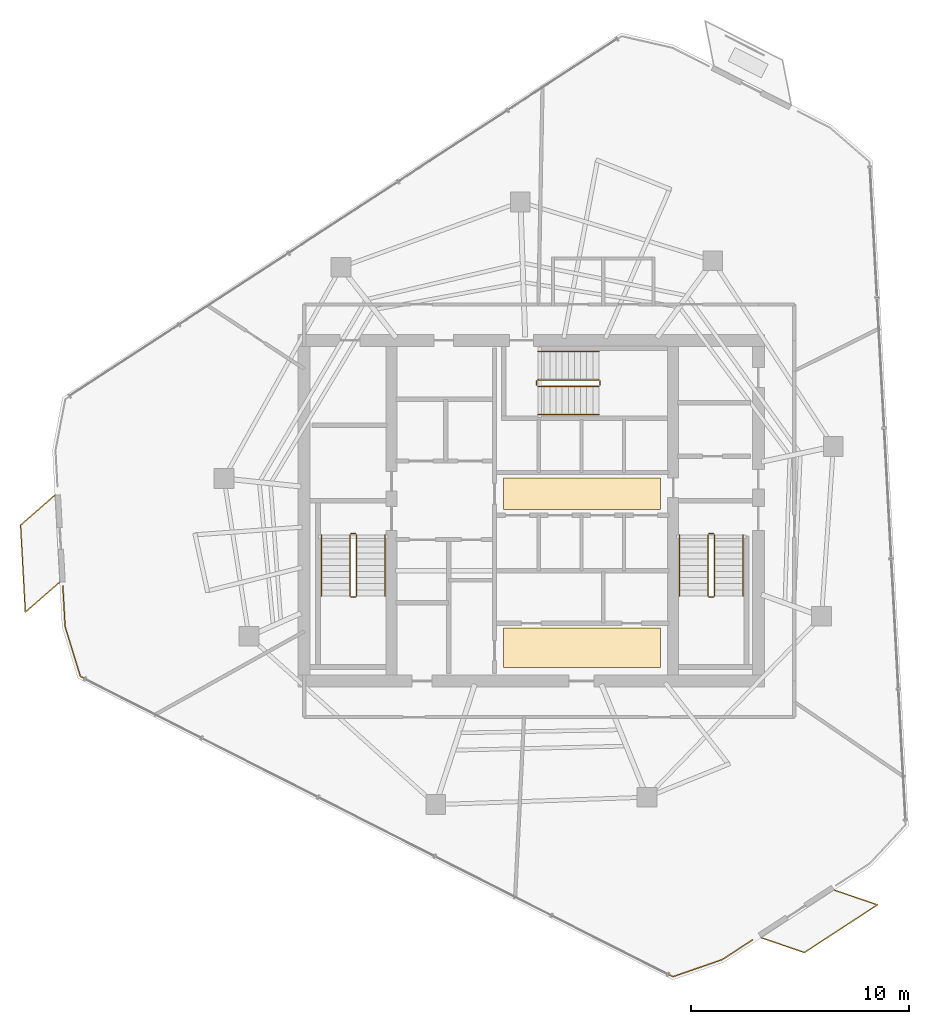
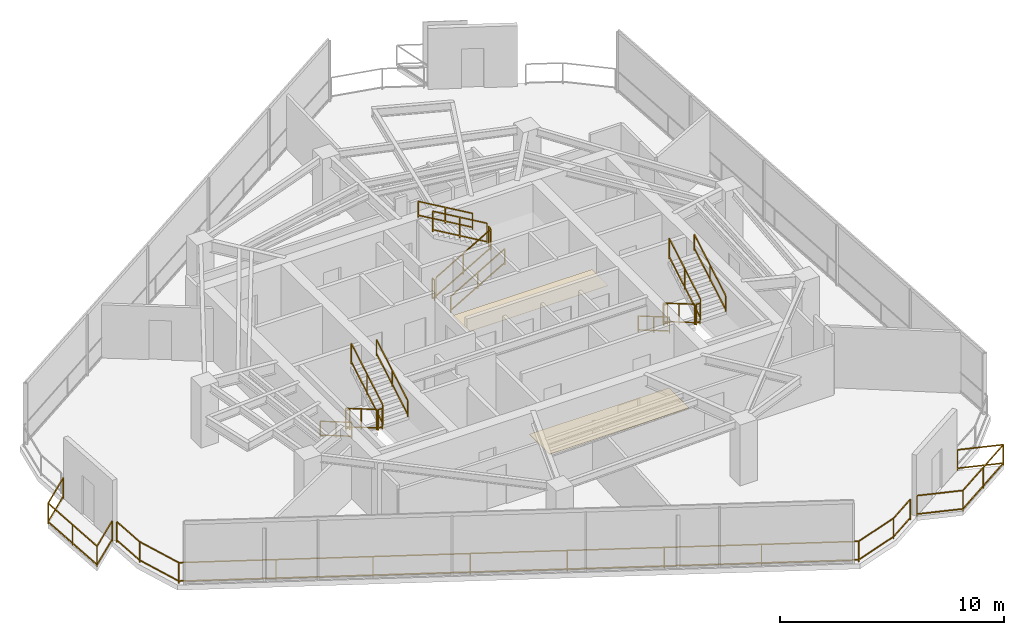
# One storey, part 17 of 18: 21 railings, 2 coverings.
"""IFC4 building model written with IfcOpenShell, lengths in metres."""

from ifc_helpers import new_model, si_unit, direction, frame, origin, origin_2d, place, context, subcontext, project, spatial, rectangle, extrude, material, layer, layer_set, type_object, element, save


model = new_model("IFC4")

# Units and contexts
model_context = context("Model", 3, precision=1e-05, world=origin(), true_north=direction((0.0, 1.0)))
body_context = subcontext(model_context, "Body", "Model", "MODEL_VIEW")
ifc_project = project(units=[si_unit("LENGTHUNIT", "METRE"), si_unit("AREAUNIT", "SQUARE_METRE"), si_unit("VOLUMEUNIT", "CUBIC_METRE"), si_unit("PLANEANGLEUNIT", "RADIAN"), si_unit("MASSUNIT", "GRAM", prefix="KILO")], contexts=[model_context])

# Site, building, storey
site_placement = place(None, origin())
site = spatial("IfcSite", under=ifc_project, at=site_placement, CompositionType="ELEMENT")
building_placement = place(site_placement, origin())
building = spatial("IfcBuilding", under=site, at=building_placement, Name="Qarnah Convention Tower", CompositionType="ELEMENT")
storey_placement = place(building_placement, frame((0.0, 0.0, 191.39990234375)))
storey = spatial("IfcBuildingStorey", under=building, at=storey_placement, Name="L51", CompositionType="ELEMENT", Elevation=191.39990234375)

# Coverings
ifc_material_1 = material(Name="Mineral fibre acoustic ceiling")
ifc_layer_1 = layer(ifc_material_1, 0.02001953125)
ifc_layer_set_1 = layer_set([ifc_layer_1], Name="Mineral fibre acoustic ceiling")
covering_type_1 = type_object("IfcCoveringType", Name="COV-CEIL-20", PredefinedType="CEILING", material=ifc_layer_set_1)
covering_1_placement = place(storey_placement, frame((39.52001953125, 27.179931640625, 2.2900390625), z_axis=(0.0, 0.0, 1.0), x_axis=(1.0, 0.0, 0.0)))
element("IfcCovering", 1, at=covering_1_placement, inside=storey, type_object=covering_type_1, Name="L51 lift lobby acoustic ceiling", PredefinedType="CEILING", context=body_context, shape_type="SweptSolid", body=[
    extrude(rectangle(XDim=7.199951171875, YDim=1.449951171875, at=origin_2d()), origin(), (0.0, 0.0, 1.0), 0.02001953125),
])
ifc_material_2 = material(Name="Porcelain stone floor tile", Category="masonry")
ifc_layer_2 = layer(ifc_material_2, 0.02001953125)
ifc_layer_set_2 = layer_set([ifc_layer_2], Name="Porcelain stone floor tile")
covering_type_2 = type_object("IfcCoveringType", Name="COV-FLOOR-20", PredefinedType="FLOORING", material=ifc_layer_set_2)
covering_2_placement = place(storey_placement, frame((39.52001953125, 20.1201171875, 0.0), z_axis=(0.0, 0.0, 1.0), x_axis=(1.0, 0.0, 0.0)))
element("IfcCovering", 2, at=covering_2_placement, inside=storey, type_object=covering_type_2, Name="L51 lift lobby porcelain stone flooring", PredefinedType="FLOORING", context=body_context, shape_type="SweptSolid", body=[
    extrude(rectangle(XDim=7.199951171875, YDim=1.800048828125, at=origin_2d()), origin(), (0.0, 0.0, 1.0), 0.02001953125),
])

# Railings
ifc_material_3 = material(Name="Black anodised aluminium", Category="aluminium")
railing_type_1 = type_object("IfcRailingType", Name="RL-EXT-GUARD-1150", PredefinedType="GUARDRAIL", material=ifc_material_3)
railing_1_placement = place(storey_placement, frame((47.3349609375, 6.74609375, 0.0)))
element("IfcRailing", 3, at=railing_1_placement, inside=storey, type_object=railing_type_1, Name="L51 slab-edge perimeter safety guard 03", PredefinedType="GUARDRAIL", context=body_context, shape_type="SweptSolid", body=[
    extrude(rectangle(XDim=0.048095703125, YDim=0.048095703125, at=origin_2d()), frame((0.0, 0.0, 1.1259765625), z_axis=(-0.837569503166, -0.546330785666, 0.0), x_axis=(0.546330785666, -0.837569503166, 0.0)), (0.0, 0.0, 1.0), 1.65478515625),
    extrude(rectangle(XDim=0.048095703125, YDim=0.048095703125, at=origin_2d()), frame((0.0, 0.0, 0.1201171875), z_axis=(-0.837569503166, -0.546330785666, 0.0), x_axis=(0.546330785666, -0.837569503166, 0.0)), (0.0, 0.0, 1.0), 1.65478515625),
    extrude(rectangle(XDim=0.048095703125, YDim=0.048095703125, at=origin_2d()), frame((-1.385986328125, -0.904052734375, 1.1259765625), z_axis=(-0.944842527431, -0.327524958373, 0.0), x_axis=(0.327524958373, -0.944842527431, 0.0)), (0.0, 0.0, 1.0), 2.387451171875),
    extrude(rectangle(XDim=0.048095703125, YDim=0.048095703125, at=origin_2d()), frame((-1.385986328125, -0.904052734375, 0.1201171875), z_axis=(-0.944842527431, -0.327524958373, 0.0), x_axis=(0.327524958373, -0.944842527431, 0.0)), (0.0, 0.0, 1.0), 2.387451171875),
    extrude(rectangle(XDim=0.048095703125, YDim=0.048095703125, at=origin_2d()), frame((-3.641845703125, -1.68603515625, 1.1259765625), z_axis=(-0.8919648532, 0.452104745225, 0.0), x_axis=(-0.452104745225, -0.8919648532, 0.0)), (0.0, 0.0, 1.0), 30.42626953125),
    extrude(rectangle(XDim=0.048095703125, YDim=0.048095703125, at=origin_2d()), frame((-3.641845703125, -1.68603515625, 0.1201171875), z_axis=(-0.8919648532, 0.452104745225, 0.0), x_axis=(-0.452104745225, -0.8919648532, 0.0)), (0.0, 0.0, 1.0), 30.42626953125),
    extrude(rectangle(XDim=0.048095703125, YDim=0.048095703125, at=origin_2d()), frame((-30.781005859375, 12.06982421875, 1.1259765625), z_axis=(-0.294107414336, 0.955772372918, 0.0), x_axis=(-0.955772372918, -0.294107414336, 0.0)), (0.0, 0.0, 1.0), 2.386474609375),
    extrude(rectangle(XDim=0.048095703125, YDim=0.048095703125, at=origin_2d()), frame((-30.781005859375, 12.06982421875, 0.1201171875), z_axis=(-0.294107414336, 0.955772372918, 0.0), x_axis=(-0.955772372918, -0.294107414336, 0.0)), (0.0, 0.0, 1.0), 2.386474609375),
    extrude(rectangle(XDim=0.048095703125, YDim=0.048095703125, at=origin_2d()), frame((-31.48291015625, 14.350830078125, 1.1259765625), z_axis=(-0.054694575929, 0.998503131374, 0.0), x_axis=(-0.998503131374, -0.054694575929, 0.0)), (0.0, 0.0, 1.0), 1.86572265625),
    extrude(rectangle(XDim=0.048095703125, YDim=0.048095703125, at=origin_2d()), frame((-31.48291015625, 14.350830078125, 0.1201171875), z_axis=(-0.054694575929, 0.998503131374, 0.0), x_axis=(-0.998503131374, -0.054694575929, 0.0)), (0.0, 0.0, 1.0), 1.86572265625),
    extrude(rectangle(XDim=0.0419921875, YDim=0.0419921875, at=origin_2d()), origin(), (0.0, 0.0, 1.0), 1.101806640625),
    extrude(rectangle(XDim=0.0419921875, YDim=0.0419921875, at=origin_2d()), frame((-1.385986328125, -0.904052734375, 0.0)), (0.0, 0.0, 1.0), 1.101806640625),
    extrude(rectangle(XDim=0.0419921875, YDim=0.0419921875, at=origin_2d()), frame((-3.641845703125, -1.68603515625, 0.0)), (0.0, 0.0, 1.0), 1.101806640625),
    extrude(rectangle(XDim=0.0419921875, YDim=0.0419921875, at=origin_2d()), frame((-7.518798828125, 0.279052734375, 0.0)), (0.0, 0.0, 1.0), 1.101806640625),
    extrude(rectangle(XDim=0.0419921875, YDim=0.0419921875, at=origin_2d()), frame((-11.39599609375, 2.244140625, 0.0)), (0.0, 0.0, 1.0), 1.101806640625),
    extrude(rectangle(XDim=0.0419921875, YDim=0.0419921875, at=origin_2d()), frame((-15.27294921875, 4.209228515625, 0.0)), (0.0, 0.0, 1.0), 1.101806640625),
    extrude(rectangle(XDim=0.0419921875, YDim=0.0419921875, at=origin_2d()), frame((-19.14990234375, 6.174560546875, 0.0)), (0.0, 0.0, 1.0), 1.101806640625),
    extrude(rectangle(XDim=0.0419921875, YDim=0.0419921875, at=origin_2d()), frame((-23.02685546875, 8.1396484375, 0.0)), (0.0, 0.0, 1.0), 1.101806640625),
    extrude(rectangle(XDim=0.0419921875, YDim=0.0419921875, at=origin_2d()), frame((-26.904052734375, 10.104736328125, 0.0)), (0.0, 0.0, 1.0), 1.101806640625),
    extrude(rectangle(XDim=0.0419921875, YDim=0.0419921875, at=origin_2d()), frame((-30.781005859375, 12.06982421875, 0.0)), (0.0, 0.0, 1.0), 1.101806640625),
    extrude(rectangle(XDim=0.0419921875, YDim=0.0419921875, at=origin_2d()), frame((-31.48291015625, 14.350830078125, 0.0)), (0.0, 0.0, 1.0), 1.101806640625),
    extrude(rectangle(XDim=0.0419921875, YDim=0.0419921875, at=origin_2d()), frame((-31.5849609375, 16.2138671875, 0.0)), (0.0, 0.0, 1.0), 1.101806640625),
])
railing_2_placement = place(storey_placement, frame((15.60595703125, 23.1259765625, 0.0)))
element("IfcRailing", 4, at=railing_2_placement, inside=storey, type_object=railing_type_1, Name="L51 balcony safety guard BAL-L51-C2", PredefinedType="GUARDRAIL", context=body_context, shape_type="SweptSolid", body=[
    extrude(rectangle(XDim=0.048095703125, YDim=0.048095703125, at=origin_2d()), frame((0.0, 0.0, 1.1259765625), z_axis=(-0.753248157674, -0.657736431225, 0.0), x_axis=(0.657736431225, -0.753248157674, 0.0)), (0.0, 0.0, 1.0), 2.093505859375),
    extrude(rectangle(XDim=0.048095703125, YDim=0.048095703125, at=origin_2d()), frame((0.0, 0.0, 0.1201171875), z_axis=(-0.753248157674, -0.657736431225, 0.0), x_axis=(0.657736431225, -0.753248157674, 0.0)), (0.0, 0.0, 1.0), 2.093505859375),
    extrude(rectangle(XDim=0.048095703125, YDim=0.048095703125, at=origin_2d()), frame((-1.576904296875, -1.376953125, 1.1259765625), z_axis=(-0.054506539419, 0.998513413611, 0.0), x_axis=(-0.998513413611, -0.054506539419, 0.0)), (0.0, 0.0, 1.0), 3.999755859375),
    extrude(rectangle(XDim=0.048095703125, YDim=0.048095703125, at=origin_2d()), frame((-1.576904296875, -1.376953125, 0.1201171875), z_axis=(-0.054506539419, 0.998513413611, 0.0), x_axis=(-0.998513413611, -0.054506539419, 0.0)), (0.0, 0.0, 1.0), 3.999755859375),
    extrude(rectangle(XDim=0.048095703125, YDim=0.048095703125, at=origin_2d()), frame((-1.794921875, 2.616943359375, 1.1259765625), z_axis=(0.753190381165, 0.657802591756, 0.0), x_axis=(-0.657802591756, 0.753190381165, 0.0)), (0.0, 0.0, 1.0), 2.09375),
    extrude(rectangle(XDim=0.048095703125, YDim=0.048095703125, at=origin_2d()), frame((-1.794921875, 2.616943359375, 0.1201171875), z_axis=(0.753190381165, 0.657802591756, 0.0), x_axis=(-0.657802591756, 0.753190381165, 0.0)), (0.0, 0.0, 1.0), 2.09375),
    extrude(rectangle(XDim=0.0419921875, YDim=0.0419921875, at=origin_2d()), origin(), (0.0, 0.0, 1.0), 1.101806640625),
    extrude(rectangle(XDim=0.0419921875, YDim=0.0419921875, at=origin_2d()), frame((-1.576904296875, -1.376953125, 0.0)), (0.0, 0.0, 1.0), 1.101806640625),
    extrude(rectangle(XDim=0.0419921875, YDim=0.0419921875, at=origin_2d()), frame((-1.68603515625, 0.6201171875, 0.0)), (0.0, 0.0, 1.0), 1.101806640625),
    extrude(rectangle(XDim=0.0419921875, YDim=0.0419921875, at=origin_2d()), frame((-1.794921875, 2.616943359375, 0.0)), (0.0, 0.0, 1.0), 1.101806640625),
    extrude(rectangle(XDim=0.0419921875, YDim=0.0419921875, at=origin_2d()), frame((-0.218017578125, 3.994140625, 0.0)), (0.0, 0.0, 1.0), 1.101806640625),
])
railing_3_placement = place(storey_placement, frame((51.0810546875, 9.028076171875, 0.0)))
element("IfcRailing", 5, at=railing_3_placement, inside=storey, type_object=railing_type_1, Name="L51 balcony safety guard BAL-L51-C3", PredefinedType="GUARDRAIL", context=body_context, shape_type="SweptSolid", body=[
    extrude(rectangle(XDim=0.048095703125, YDim=0.048095703125, at=origin_2d()), frame((0.0, 0.0, 1.1259765625), z_axis=(0.946265448869, -0.323390940315, 0.0), x_axis=(0.323390940315, 0.946265448869, 0.0)), (0.0, 0.0, 1.0), 2.093505859375),
    extrude(rectangle(XDim=0.048095703125, YDim=0.048095703125, at=origin_2d()), frame((0.0, 0.0, 0.1201171875), z_axis=(0.946265448869, -0.323390940315, 0.0), x_axis=(0.323390940315, 0.946265448869, 0.0)), (0.0, 0.0, 1.0), 2.093505859375),
    extrude(rectangle(XDim=0.048095703125, YDim=0.048095703125, at=origin_2d()), frame((1.98095703125, -0.677001953125, 1.1259765625), z_axis=(-0.837474585525, -0.546476274507, 0.0), x_axis=(0.546476274507, -0.837474585525, 0.0)), (0.0, 0.0, 1.0), 4.000244140625),
    extrude(rectangle(XDim=0.048095703125, YDim=0.048095703125, at=origin_2d()), frame((1.98095703125, -0.677001953125, 0.1201171875), z_axis=(-0.837474585525, -0.546476274507, 0.0), x_axis=(0.546476274507, -0.837474585525, 0.0)), (0.0, 0.0, 1.0), 4.000244140625),
    extrude(rectangle(XDim=0.048095703125, YDim=0.048095703125, at=origin_2d()), frame((-1.369140625, -2.863037109375, 1.1259765625), z_axis=(-0.946171499539, 0.323665712518, 0.0), x_axis=(-0.323665712518, -0.946171499539, 0.0)), (0.0, 0.0, 1.0), 2.0947265625),
    extrude(rectangle(XDim=0.048095703125, YDim=0.048095703125, at=origin_2d()), frame((-1.369140625, -2.863037109375, 0.1201171875), z_axis=(-0.946171499539, 0.323665712518, 0.0), x_axis=(-0.323665712518, -0.946171499539, 0.0)), (0.0, 0.0, 1.0), 2.0947265625),
    extrude(rectangle(XDim=0.0419921875, YDim=0.0419921875, at=origin_2d()), origin(), (0.0, 0.0, 1.0), 1.101806640625),
    extrude(rectangle(XDim=0.0419921875, YDim=0.0419921875, at=origin_2d()), frame((1.98095703125, -0.677001953125, 0.0)), (0.0, 0.0, 1.0), 1.101806640625),
    extrude(rectangle(XDim=0.0419921875, YDim=0.0419921875, at=origin_2d()), frame((0.305908203125, -1.77001953125, 0.0)), (0.0, 0.0, 1.0), 1.101806640625),
    extrude(rectangle(XDim=0.0419921875, YDim=0.0419921875, at=origin_2d()), frame((-1.369140625, -2.863037109375, 0.0)), (0.0, 0.0, 1.0), 1.101806640625),
    extrude(rectangle(XDim=0.0419921875, YDim=0.0419921875, at=origin_2d()), frame((-3.35107421875, -2.18505859375, 0.0)), (0.0, 0.0, 1.0), 1.101806640625),
])
ifc_material_4 = material(Name="Structural steel S355JR", Category="steel")
railing_type_2 = type_object("IfcRailingType", Name="RL-STAIR-GUARD-1150", PredefinedType="GUARDRAIL", material=ifc_material_4)
railing_4_placement = place(storey_placement, frame((28.89990234375, 25.300048828125, 0.163818359375)))
element("IfcRailing", 6, at=railing_4_placement, inside=storey, type_object=railing_type_2, Name="L51 ST-1 stair guard 1", PredefinedType="GUARDRAIL", context=body_context, shape_type="SweptSolid", body=[
    extrude(rectangle(XDim=0.048095703125, YDim=0.048095703125, at=origin_2d()), frame((0.0, 0.0, 1.1259765625), z_axis=(0.0, -0.863393664356, 0.504530851732), x_axis=(1.0, 0.0, 0.0)), (0.0, 0.0, 1.0), 3.2431640625),
    extrude(rectangle(XDim=0.048095703125, YDim=0.048095703125, at=origin_2d()), frame((0.0, 0.0, 0.1201171875), z_axis=(0.0, -0.863393664356, 0.504530851732), x_axis=(1.0, 0.0, 0.0)), (0.0, 0.0, 1.0), 3.2431640625),
    extrude(rectangle(XDim=0.0419921875, YDim=0.0419921875, at=origin_2d()), origin(), (0.0, 0.0, 1.0), 1.101806640625),
    extrude(rectangle(XDim=0.0419921875, YDim=0.0419921875, at=origin_2d()), frame((0.0, -1.39990234375, 0.818115234375)), (0.0, 0.0, 1.0), 1.101806640625),
    extrude(rectangle(XDim=0.0419921875, YDim=0.0419921875, at=origin_2d()), frame((0.0, -2.800048828125, 1.63623046875)), (0.0, 0.0, 1.0), 1.101806640625),
])
railing_5_placement = place(storey_placement, frame((28.949951171875, 22.449951171875, 1.800048828125)))
element("IfcRailing", 7, at=railing_5_placement, inside=storey, type_object=railing_type_2, Name="L51 ST-1 stair guard 2", PredefinedType="GUARDRAIL", context=body_context, shape_type="SweptSolid", body=[
    extrude(rectangle(XDim=0.048095703125, YDim=0.048095703125, at=origin_2d()), frame((0.0, 0.0, 1.1259765625), z_axis=(1.0, 0.0, 0.0), x_axis=(0.0, 1.0, 0.0)), (0.0, 0.0, 1.0), 0.199951171875),
    extrude(rectangle(XDim=0.048095703125, YDim=0.048095703125, at=origin_2d()), frame((0.0, 0.0, 0.1201171875), z_axis=(1.0, 0.0, 0.0), x_axis=(0.0, 1.0, 0.0)), (0.0, 0.0, 1.0), 0.199951171875),
    extrude(rectangle(XDim=0.0419921875, YDim=0.0419921875, at=origin_2d()), origin(), (0.0, 0.0, 1.0), 1.101806640625),
    extrude(rectangle(XDim=0.0419921875, YDim=0.0419921875, at=origin_2d()), frame((0.199951171875, 0.0, 0.0)), (0.0, 0.0, 1.0), 1.101806640625),
])
railing_6_placement = place(storey_placement, frame((29.199951171875, 22.5, 1.963623046875)))
element("IfcRailing", 8, at=railing_6_placement, inside=storey, type_object=railing_type_2, Name="L51 ST-1 stair guard 3", PredefinedType="GUARDRAIL", context=body_context, shape_type="SweptSolid", body=[
    extrude(rectangle(XDim=0.048095703125, YDim=0.048095703125, at=origin_2d()), frame((0.0, 0.0, 1.1259765625), z_axis=(0.0, 0.863360870873, 0.504586966384), x_axis=(-1.0, 0.0, 0.0)), (0.0, 0.0, 1.0), 3.2431640625),
    extrude(rectangle(XDim=0.048095703125, YDim=0.048095703125, at=origin_2d()), frame((0.0, 0.0, 0.1201171875), z_axis=(0.0, 0.863360870873, 0.504586966384), x_axis=(-1.0, 0.0, 0.0)), (0.0, 0.0, 1.0), 3.2431640625),
    extrude(rectangle(XDim=0.0419921875, YDim=0.0419921875, at=origin_2d()), origin(), (0.0, 0.0, 1.0), 1.101806640625),
    extrude(rectangle(XDim=0.0419921875, YDim=0.0419921875, at=origin_2d()), frame((0.0, 1.39990234375, 0.818359375)), (0.0, 0.0, 1.0), 1.101806640625),
    extrude(rectangle(XDim=0.0419921875, YDim=0.0419921875, at=origin_2d()), frame((0.0, 2.800048828125, 1.636474609375)), (0.0, 0.0, 1.0), 1.101806640625),
])
railing_7_placement = place(storey_placement, frame((28.949951171875, 25.35009765625, 0.0)))
element("IfcRailing", 9, at=railing_7_placement, inside=storey, type_object=railing_type_2, Name="L51 ST-1 stair guard 4", PredefinedType="GUARDRAIL", context=body_context, shape_type="SweptSolid", body=[
    extrude(rectangle(XDim=0.048095703125, YDim=0.048095703125, at=origin_2d()), frame((0.0, 0.0, 1.1259765625), z_axis=(1.0, 0.0, 0.0), x_axis=(0.0, 1.0, 0.0)), (0.0, 0.0, 1.0), 0.199951171875),
    extrude(rectangle(XDim=0.048095703125, YDim=0.048095703125, at=origin_2d()), frame((0.0, 0.0, 0.1201171875), z_axis=(1.0, 0.0, 0.0), x_axis=(0.0, 1.0, 0.0)), (0.0, 0.0, 1.0), 0.199951171875),
    extrude(rectangle(XDim=0.0419921875, YDim=0.0419921875, at=origin_2d()), origin(), (0.0, 0.0, 1.0), 1.101806640625),
    extrude(rectangle(XDim=0.0419921875, YDim=0.0419921875, at=origin_2d()), frame((0.199951171875, 0.0, 0.0)), (0.0, 0.0, 1.0), 1.101806640625),
])
railing_8_placement = place(storey_placement, frame((45.300048828125, 25.300048828125, 0.163818359375)))
element("IfcRailing", 10, at=railing_8_placement, inside=storey, type_object=railing_type_2, Name="L51 ST-2 stair guard 1", PredefinedType="GUARDRAIL", context=body_context, shape_type="SweptSolid", body=[
    extrude(rectangle(XDim=0.048095703125, YDim=0.048095703125, at=origin_2d()), frame((0.0, 0.0, 1.1259765625), z_axis=(0.0, -0.863393664356, 0.504530851732), x_axis=(1.0, 0.0, 0.0)), (0.0, 0.0, 1.0), 3.2431640625),
    extrude(rectangle(XDim=0.048095703125, YDim=0.048095703125, at=origin_2d()), frame((0.0, 0.0, 0.1201171875), z_axis=(0.0, -0.863393664356, 0.504530851732), x_axis=(1.0, 0.0, 0.0)), (0.0, 0.0, 1.0), 3.2431640625),
    extrude(rectangle(XDim=0.0419921875, YDim=0.0419921875, at=origin_2d()), origin(), (0.0, 0.0, 1.0), 1.101806640625),
    extrude(rectangle(XDim=0.0419921875, YDim=0.0419921875, at=origin_2d()), frame((0.0, -1.39990234375, 0.818115234375)), (0.0, 0.0, 1.0), 1.101806640625),
    extrude(rectangle(XDim=0.0419921875, YDim=0.0419921875, at=origin_2d()), frame((0.0, -2.800048828125, 1.63623046875)), (0.0, 0.0, 1.0), 1.101806640625),
])
railing_9_placement = place(storey_placement, frame((45.35009765625, 22.449951171875, 1.800048828125)))
element("IfcRailing", 11, at=railing_9_placement, inside=storey, type_object=railing_type_2, Name="L51 ST-2 stair guard 2", PredefinedType="GUARDRAIL", context=body_context, shape_type="SweptSolid", body=[
    extrude(rectangle(XDim=0.048095703125, YDim=0.048095703125, at=origin_2d()), frame((0.0, 0.0, 1.1259765625), z_axis=(1.0, 0.0, 0.0), x_axis=(0.0, 1.0, 0.0)), (0.0, 0.0, 1.0), 0.199951171875),
    extrude(rectangle(XDim=0.048095703125, YDim=0.048095703125, at=origin_2d()), frame((0.0, 0.0, 0.1201171875), z_axis=(1.0, 0.0, 0.0), x_axis=(0.0, 1.0, 0.0)), (0.0, 0.0, 1.0), 0.199951171875),
    extrude(rectangle(XDim=0.0419921875, YDim=0.0419921875, at=origin_2d()), origin(), (0.0, 0.0, 1.0), 1.101806640625),
    extrude(rectangle(XDim=0.0419921875, YDim=0.0419921875, at=origin_2d()), frame((0.199951171875, 0.0, 0.0)), (0.0, 0.0, 1.0), 1.101806640625),
])
railing_10_placement = place(storey_placement, frame((45.60009765625, 22.5, 1.963623046875)))
element("IfcRailing", 12, at=railing_10_placement, inside=storey, type_object=railing_type_2, Name="L51 ST-2 stair guard 3", PredefinedType="GUARDRAIL", context=body_context, shape_type="SweptSolid", body=[
    extrude(rectangle(XDim=0.048095703125, YDim=0.048095703125, at=origin_2d()), frame((0.0, 0.0, 1.1259765625), z_axis=(0.0, 0.863360870873, 0.504586966384), x_axis=(-1.0, 0.0, 0.0)), (0.0, 0.0, 1.0), 3.2431640625),
    extrude(rectangle(XDim=0.048095703125, YDim=0.048095703125, at=origin_2d()), frame((0.0, 0.0, 0.1201171875), z_axis=(0.0, 0.863360870873, 0.504586966384), x_axis=(-1.0, 0.0, 0.0)), (0.0, 0.0, 1.0), 3.2431640625),
    extrude(rectangle(XDim=0.0419921875, YDim=0.0419921875, at=origin_2d()), origin(), (0.0, 0.0, 1.0), 1.101806640625),
    extrude(rectangle(XDim=0.0419921875, YDim=0.0419921875, at=origin_2d()), frame((0.0, 1.39990234375, 0.818359375)), (0.0, 0.0, 1.0), 1.101806640625),
    extrude(rectangle(XDim=0.0419921875, YDim=0.0419921875, at=origin_2d()), frame((0.0, 2.800048828125, 1.636474609375)), (0.0, 0.0, 1.0), 1.101806640625),
])
railing_11_placement = place(storey_placement, frame((45.35009765625, 25.35009765625, 0.0)))
element("IfcRailing", 13, at=railing_11_placement, inside=storey, type_object=railing_type_2, Name="L51 ST-2 stair guard 4", PredefinedType="GUARDRAIL", context=body_context, shape_type="SweptSolid", body=[
    extrude(rectangle(XDim=0.048095703125, YDim=0.048095703125, at=origin_2d()), frame((0.0, 0.0, 1.1259765625), z_axis=(1.0, 0.0, 0.0), x_axis=(0.0, 1.0, 0.0)), (0.0, 0.0, 1.0), 0.199951171875),
    extrude(rectangle(XDim=0.048095703125, YDim=0.048095703125, at=origin_2d()), frame((0.0, 0.0, 0.1201171875), z_axis=(1.0, 0.0, 0.0), x_axis=(0.0, 1.0, 0.0)), (0.0, 0.0, 1.0), 0.199951171875),
    extrude(rectangle(XDim=0.0419921875, YDim=0.0419921875, at=origin_2d()), origin(), (0.0, 0.0, 1.0), 1.101806640625),
    extrude(rectangle(XDim=0.0419921875, YDim=0.0419921875, at=origin_2d()), frame((0.199951171875, 0.0, 0.0)), (0.0, 0.0, 1.0), 1.101806640625),
])
railing_12_placement = place(storey_placement, frame((37.5, 32.10009765625, 0.163818359375)))
element("IfcRailing", 14, at=railing_12_placement, inside=storey, type_object=railing_type_2, Name="L51 ST-3 stair guard 1", PredefinedType="GUARDRAIL", context=body_context, shape_type="SweptSolid", body=[
    extrude(rectangle(XDim=0.048095703125, YDim=0.048095703125, at=origin_2d()), frame((0.0, 0.0, 1.1259765625), z_axis=(0.863393664356, 0.0, 0.504530851732), x_axis=(0.0, 1.0, 0.0)), (0.0, 0.0, 1.0), 3.2431640625),
    extrude(rectangle(XDim=0.048095703125, YDim=0.048095703125, at=origin_2d()), frame((0.0, 0.0, 0.1201171875), z_axis=(0.863393664356, 0.0, 0.504530851732), x_axis=(0.0, 1.0, 0.0)), (0.0, 0.0, 1.0), 3.2431640625),
    extrude(rectangle(XDim=0.0419921875, YDim=0.0419921875, at=origin_2d()), origin(), (0.0, 0.0, 1.0), 1.101806640625),
    extrude(rectangle(XDim=0.0419921875, YDim=0.0419921875, at=origin_2d()), frame((1.39990234375, 0.0, 0.818115234375)), (0.0, 0.0, 1.0), 1.101806640625),
    extrude(rectangle(XDim=0.0419921875, YDim=0.0419921875, at=origin_2d()), frame((2.800048828125, 0.0, 1.63623046875)), (0.0, 0.0, 1.0), 1.101806640625),
])
railing_13_placement = place(storey_placement, frame((40.35009765625, 32.14990234375, 1.800048828125)))
element("IfcRailing", 15, at=railing_13_placement, inside=storey, type_object=railing_type_2, Name="L51 ST-3 stair guard 2", PredefinedType="GUARDRAIL", context=body_context, shape_type="SweptSolid", body=[
    extrude(rectangle(XDim=0.048095703125, YDim=0.048095703125, at=origin_2d()), frame((0.0, 0.0, 1.1259765625), z_axis=(0.0, 1.0, 0.0), x_axis=(-1.0, 0.0, 0.0)), (0.0, 0.0, 1.0), 0.2001953125),
    extrude(rectangle(XDim=0.048095703125, YDim=0.048095703125, at=origin_2d()), frame((0.0, 0.0, 0.1201171875), z_axis=(0.0, 1.0, 0.0), x_axis=(-1.0, 0.0, 0.0)), (0.0, 0.0, 1.0), 0.2001953125),
    extrude(rectangle(XDim=0.0419921875, YDim=0.0419921875, at=origin_2d()), origin(), (0.0, 0.0, 1.0), 1.101806640625),
    extrude(rectangle(XDim=0.0419921875, YDim=0.0419921875, at=origin_2d()), frame((0.0, 0.2001953125, 0.0)), (0.0, 0.0, 1.0), 1.101806640625),
])
railing_14_placement = place(storey_placement, frame((40.300048828125, 32.39990234375, 1.963623046875)))
element("IfcRailing", 16, at=railing_14_placement, inside=storey, type_object=railing_type_2, Name="L51 ST-3 stair guard 3", PredefinedType="GUARDRAIL", context=body_context, shape_type="SweptSolid", body=[
    extrude(rectangle(XDim=0.048095703125, YDim=0.048095703125, at=origin_2d()), frame((0.0, 0.0, 1.1259765625), z_axis=(-0.863360870873, 0.0, 0.504586966384), x_axis=(0.0, -1.0, 0.0)), (0.0, 0.0, 1.0), 3.2431640625),
    extrude(rectangle(XDim=0.048095703125, YDim=0.048095703125, at=origin_2d()), frame((0.0, 0.0, 0.1201171875), z_axis=(-0.863360870873, 0.0, 0.504586966384), x_axis=(0.0, -1.0, 0.0)), (0.0, 0.0, 1.0), 3.2431640625),
    extrude(rectangle(XDim=0.0419921875, YDim=0.0419921875, at=origin_2d()), origin(), (0.0, 0.0, 1.0), 1.101806640625),
    extrude(rectangle(XDim=0.0419921875, YDim=0.0419921875, at=origin_2d()), frame((-1.39990234375, 0.0, 0.818359375)), (0.0, 0.0, 1.0), 1.101806640625),
    extrude(rectangle(XDim=0.0419921875, YDim=0.0419921875, at=origin_2d()), frame((-2.800048828125, 0.0, 1.636474609375)), (0.0, 0.0, 1.0), 1.101806640625),
])
railing_15_placement = place(storey_placement, frame((37.449951171875, 32.14990234375, 0.0)))
element("IfcRailing", 17, at=railing_15_placement, inside=storey, type_object=railing_type_2, Name="L51 ST-3 stair guard 4", PredefinedType="GUARDRAIL", context=body_context, shape_type="SweptSolid", body=[
    extrude(rectangle(XDim=0.048095703125, YDim=0.048095703125, at=origin_2d()), frame((0.0, 0.0, 1.1259765625), z_axis=(0.0, 1.0, 0.0), x_axis=(-1.0, 0.0, 0.0)), (0.0, 0.0, 1.0), 0.2001953125),
    extrude(rectangle(XDim=0.048095703125, YDim=0.048095703125, at=origin_2d()), frame((0.0, 0.0, 0.1201171875), z_axis=(0.0, 1.0, 0.0), x_axis=(-1.0, 0.0, 0.0)), (0.0, 0.0, 1.0), 0.2001953125),
    extrude(rectangle(XDim=0.0419921875, YDim=0.0419921875, at=origin_2d()), origin(), (0.0, 0.0, 1.0), 1.101806640625),
    extrude(rectangle(XDim=0.0419921875, YDim=0.0419921875, at=origin_2d()), frame((0.0, 0.2001953125, 0.0)), (0.0, 0.0, 1.0), 1.101806640625),
])
railing_type_3 = type_object("IfcRailingType", Name="RL-STAIR-HAND-900", PredefinedType="HANDRAIL", material=ifc_material_4)
railing_16_placement = place(storey_placement, frame((27.60009765625, 25.300048828125, 0.163818359375)))
element("IfcRailing", 18, at=railing_16_placement, inside=storey, type_object=railing_type_3, Name="L51 ST-1 stair handrail 1", PredefinedType="HANDRAIL", context=body_context, shape_type="SweptSolid", body=[
    extrude(rectangle(XDim=0.048095703125, YDim=0.048095703125, at=origin_2d()), frame((0.0, 0.0, 0.8759765625), z_axis=(0.0, -0.863393664356, 0.504530851732), x_axis=(1.0, 0.0, 0.0)), (0.0, 0.0, 1.0), 3.2431640625),
    extrude(rectangle(XDim=0.048095703125, YDim=0.048095703125, at=origin_2d()), frame((0.0, 0.0, 0.1201171875), z_axis=(0.0, -0.863393664356, 0.504530851732), x_axis=(1.0, 0.0, 0.0)), (0.0, 0.0, 1.0), 3.2431640625),
    extrude(rectangle(XDim=0.0419921875, YDim=0.0419921875, at=origin_2d()), origin(), (0.0, 0.0, 1.0), 0.851806640625),
    extrude(rectangle(XDim=0.0419921875, YDim=0.0419921875, at=origin_2d()), frame((0.0, -1.39990234375, 0.818115234375)), (0.0, 0.0, 1.0), 0.851806640625),
    extrude(rectangle(XDim=0.0419921875, YDim=0.0419921875, at=origin_2d()), frame((0.0, -2.800048828125, 1.63623046875)), (0.0, 0.0, 1.0), 0.851806640625),
])
railing_17_placement = place(storey_placement, frame((30.5, 22.5, 1.963623046875)))
element("IfcRailing", 19, at=railing_17_placement, inside=storey, type_object=railing_type_3, Name="L51 ST-1 stair handrail 2", PredefinedType="HANDRAIL", context=body_context, shape_type="SweptSolid", body=[
    extrude(rectangle(XDim=0.048095703125, YDim=0.048095703125, at=origin_2d()), frame((0.0, 0.0, 0.8759765625), z_axis=(0.0, 0.863360870873, 0.504586966384), x_axis=(-1.0, 0.0, 0.0)), (0.0, 0.0, 1.0), 3.2431640625),
    extrude(rectangle(XDim=0.048095703125, YDim=0.048095703125, at=origin_2d()), frame((0.0, 0.0, 0.1201171875), z_axis=(0.0, 0.863360870873, 0.504586966384), x_axis=(-1.0, 0.0, 0.0)), (0.0, 0.0, 1.0), 3.2431640625),
    extrude(rectangle(XDim=0.0419921875, YDim=0.0419921875, at=origin_2d()), origin(), (0.0, 0.0, 1.0), 0.851806640625),
    extrude(rectangle(XDim=0.0419921875, YDim=0.0419921875, at=origin_2d()), frame((0.0, 1.39990234375, 0.818359375)), (0.0, 0.0, 1.0), 0.851806640625),
    extrude(rectangle(XDim=0.0419921875, YDim=0.0419921875, at=origin_2d()), frame((0.0, 2.800048828125, 1.636474609375)), (0.0, 0.0, 1.0), 0.851806640625),
])
railing_18_placement = place(storey_placement, frame((44.0, 25.300048828125, 0.163818359375)))
element("IfcRailing", 20, at=railing_18_placement, inside=storey, type_object=railing_type_3, Name="L51 ST-2 stair handrail 1", PredefinedType="HANDRAIL", context=body_context, shape_type="SweptSolid", body=[
    extrude(rectangle(XDim=0.048095703125, YDim=0.048095703125, at=origin_2d()), frame((0.0, 0.0, 0.8759765625), z_axis=(0.0, -0.863393664356, 0.504530851732), x_axis=(1.0, 0.0, 0.0)), (0.0, 0.0, 1.0), 3.2431640625),
    extrude(rectangle(XDim=0.048095703125, YDim=0.048095703125, at=origin_2d()), frame((0.0, 0.0, 0.1201171875), z_axis=(0.0, -0.863393664356, 0.504530851732), x_axis=(1.0, 0.0, 0.0)), (0.0, 0.0, 1.0), 3.2431640625),
    extrude(rectangle(XDim=0.0419921875, YDim=0.0419921875, at=origin_2d()), origin(), (0.0, 0.0, 1.0), 0.851806640625),
    extrude(rectangle(XDim=0.0419921875, YDim=0.0419921875, at=origin_2d()), frame((0.0, -1.39990234375, 0.818115234375)), (0.0, 0.0, 1.0), 0.851806640625),
    extrude(rectangle(XDim=0.0419921875, YDim=0.0419921875, at=origin_2d()), frame((0.0, -2.800048828125, 1.63623046875)), (0.0, 0.0, 1.0), 0.851806640625),
])
railing_19_placement = place(storey_placement, frame((46.89990234375, 22.5, 1.963623046875)))
element("IfcRailing", 21, at=railing_19_placement, inside=storey, type_object=railing_type_3, Name="L51 ST-2 stair handrail 2", PredefinedType="HANDRAIL", context=body_context, shape_type="SweptSolid", body=[
    extrude(rectangle(XDim=0.048095703125, YDim=0.048095703125, at=origin_2d()), frame((0.0, 0.0, 0.8759765625), z_axis=(0.0, 0.863360870873, 0.504586966384), x_axis=(-1.0, 0.0, 0.0)), (0.0, 0.0, 1.0), 3.2431640625),
    extrude(rectangle(XDim=0.048095703125, YDim=0.048095703125, at=origin_2d()), frame((0.0, 0.0, 0.1201171875), z_axis=(0.0, 0.863360870873, 0.504586966384), x_axis=(-1.0, 0.0, 0.0)), (0.0, 0.0, 1.0), 3.2431640625),
    extrude(rectangle(XDim=0.0419921875, YDim=0.0419921875, at=origin_2d()), origin(), (0.0, 0.0, 1.0), 0.851806640625),
    extrude(rectangle(XDim=0.0419921875, YDim=0.0419921875, at=origin_2d()), frame((0.0, 1.39990234375, 0.818359375)), (0.0, 0.0, 1.0), 0.851806640625),
    extrude(rectangle(XDim=0.0419921875, YDim=0.0419921875, at=origin_2d()), frame((0.0, 2.800048828125, 1.636474609375)), (0.0, 0.0, 1.0), 0.851806640625),
])
railing_20_placement = place(storey_placement, frame((37.5, 30.800048828125, 0.163818359375)))
element("IfcRailing", 22, at=railing_20_placement, inside=storey, type_object=railing_type_3, Name="L51 ST-3 stair handrail 1", PredefinedType="HANDRAIL", context=body_context, shape_type="SweptSolid", body=[
    extrude(rectangle(XDim=0.048095703125, YDim=0.048095703125, at=origin_2d()), frame((0.0, 0.0, 0.8759765625), z_axis=(0.863393664356, 0.0, 0.504530851732), x_axis=(0.0, 1.0, 0.0)), (0.0, 0.0, 1.0), 3.2431640625),
    extrude(rectangle(XDim=0.048095703125, YDim=0.048095703125, at=origin_2d()), frame((0.0, 0.0, 0.1201171875), z_axis=(0.863393664356, 0.0, 0.504530851732), x_axis=(0.0, 1.0, 0.0)), (0.0, 0.0, 1.0), 3.2431640625),
    extrude(rectangle(XDim=0.0419921875, YDim=0.0419921875, at=origin_2d()), origin(), (0.0, 0.0, 1.0), 0.851806640625),
    extrude(rectangle(XDim=0.0419921875, YDim=0.0419921875, at=origin_2d()), frame((1.39990234375, 0.0, 0.818115234375)), (0.0, 0.0, 1.0), 0.851806640625),
    extrude(rectangle(XDim=0.0419921875, YDim=0.0419921875, at=origin_2d()), frame((2.800048828125, 0.0, 1.63623046875)), (0.0, 0.0, 1.0), 0.851806640625),
])
railing_21_placement = place(storey_placement, frame((40.300048828125, 33.699951171875, 1.963623046875)))
element("IfcRailing", 23, at=railing_21_placement, inside=storey, type_object=railing_type_3, Name="L51 ST-3 stair handrail 2", PredefinedType="HANDRAIL", context=body_context, shape_type="SweptSolid", body=[
    extrude(rectangle(XDim=0.048095703125, YDim=0.048095703125, at=origin_2d()), frame((0.0, 0.0, 0.8759765625), z_axis=(-0.863360870873, 0.0, 0.504586966384), x_axis=(0.0, -1.0, 0.0)), (0.0, 0.0, 1.0), 3.2431640625),
    extrude(rectangle(XDim=0.048095703125, YDim=0.048095703125, at=origin_2d()), frame((0.0, 0.0, 0.1201171875), z_axis=(-0.863360870873, 0.0, 0.504586966384), x_axis=(0.0, -1.0, 0.0)), (0.0, 0.0, 1.0), 3.2431640625),
    extrude(rectangle(XDim=0.0419921875, YDim=0.0419921875, at=origin_2d()), origin(), (0.0, 0.0, 1.0), 0.851806640625),
    extrude(rectangle(XDim=0.0419921875, YDim=0.0419921875, at=origin_2d()), frame((-1.39990234375, 0.0, 0.818359375)), (0.0, 0.0, 1.0), 0.851806640625),
    extrude(rectangle(XDim=0.0419921875, YDim=0.0419921875, at=origin_2d()), frame((-2.800048828125, 0.0, 1.636474609375)), (0.0, 0.0, 1.0), 0.851806640625),
])

save(model, "model.ifc")
